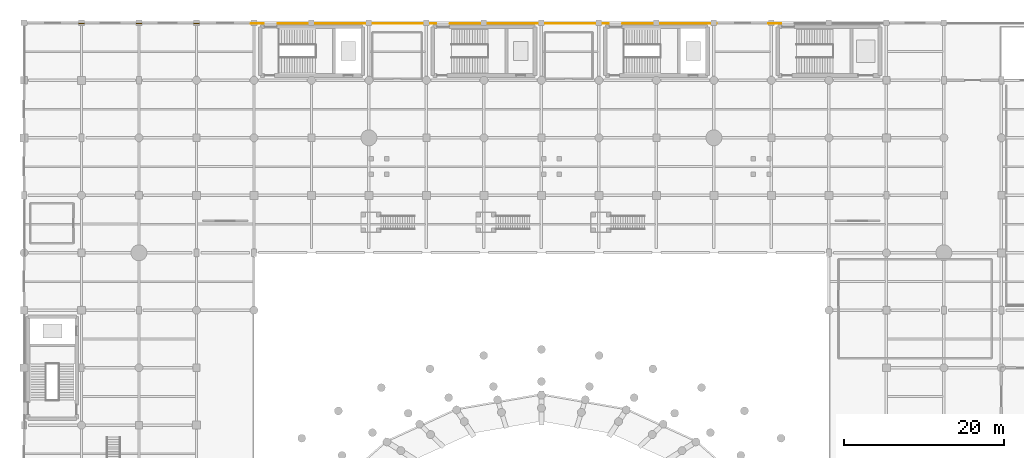
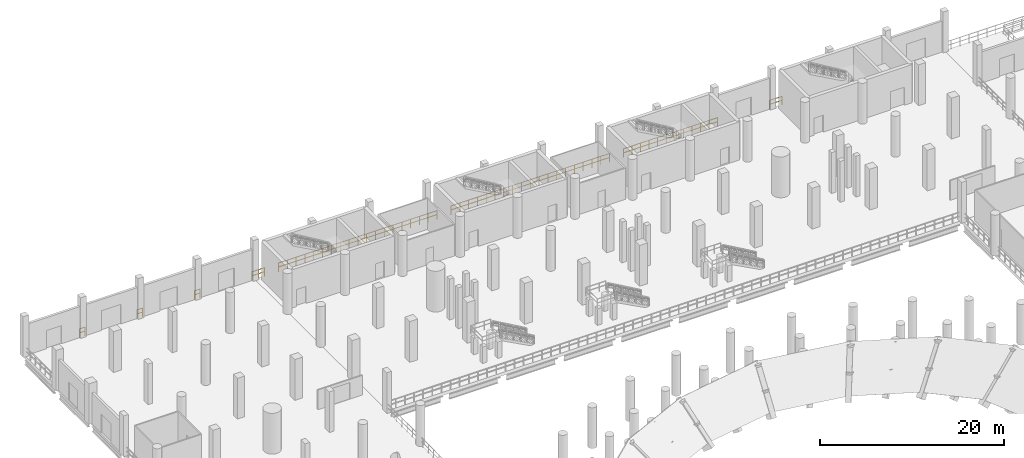
# One storey, part 56 of 58: 8 railings.
"""IFC4 building model written with IfcOpenShell, lengths in metres."""

from ifc_helpers import new_model, si_unit, direction, frame, origin, origin_2d, place, context, subcontext, project, spatial, circle, extrude, material, type_object, element, save


model = new_model("IFC4")

# Units and contexts
model_context = context("Model", 3, precision=1e-05, world=origin(), true_north=direction((0.0, 1.0)))
body_context = subcontext(model_context, "Body", "Model", "MODEL_VIEW")
ifc_project = project(units=[si_unit("LENGTHUNIT", "METRE"), si_unit("AREAUNIT", "SQUARE_METRE"), si_unit("VOLUMEUNIT", "CUBIC_METRE"), si_unit("PLANEANGLEUNIT", "RADIAN"), si_unit("MASSUNIT", "GRAM", prefix="KILO")], contexts=[model_context])

# Site, building, storey
site_placement = place(None, origin())
site = spatial("IfcSite", under=ifc_project, at=site_placement, CompositionType="ELEMENT")
building_placement = place(site_placement, origin())
building = spatial("IfcBuilding", under=site, at=building_placement, Name="Qandorah Velis Arena", CompositionType="ELEMENT")
storey_placement = place(building_placement, origin())
storey = spatial("IfcBuildingStorey", under=building, at=storey_placement, Name="L00", CompositionType="ELEMENT", Elevation=0.0)

# Railings
ifc_material = material(Name="Stainless steel 316", Category="steel")
railing_type = type_object("IfcRailingType", Name="ARC-RL-GRD1150", PredefinedType="GUARDRAIL", material=ifc_material)
for number, where, name in (
    (1, (6.85009765625, 129.5, 0.0), "Slab edge safety guardrail L00-040"),
    (2, (14.050048828125, 129.5, 0.0), "Slab edge safety guardrail L00-041"),
    (3, (21.25, 129.5, 0.0), "Slab edge safety guardrail L00-042"),
):
    element("IfcRailing", number, at=place(storey_placement, frame(where)), inside=storey, type_object=railing_type, Name=name, PredefinedType="GUARDRAIL", context=body_context, shape_type="SweptSolid", body=[
        extrude(circle(Radius=0.02392578125, at=origin_2d()), frame((0.0, 0.0, 1.1259765625), z_axis=(1.0, 0.0, 0.0), x_axis=(0.0, 1.0, 0.0)), (0.0, 0.0, 1.0), 0.699951171875),
        extrude(circle(Radius=0.02392578125, at=origin_2d()), frame((0.0, 0.0, 0.597900390625), z_axis=(1.0, 0.0, 0.0), x_axis=(0.0, 1.0, 0.0)), (0.0, 0.0, 1.0), 0.699951171875),
        extrude(circle(Radius=0.02099609375, at=origin_2d()), origin(), (0.0, 0.0, 1.0), 1.101806640625),
        extrude(circle(Radius=0.02099609375, at=origin_2d()), frame((0.699951171875, 0.0, 0.0)), (0.0, 0.0, 1.0), 1.101806640625),
    ])
railing_1_placement = place(storey_placement, frame((28.449951171875, 129.5, 0.0)))
element("IfcRailing", 4, at=railing_1_placement, inside=storey, type_object=railing_type, Name="Slab edge safety guardrail L00-043", PredefinedType="GUARDRAIL", context=body_context, shape_type="SweptSolid", body=[
    extrude(circle(Radius=0.02392578125, at=origin_2d()), frame((0.0, 0.0, 1.1259765625), z_axis=(1.0, 0.0, 0.0), x_axis=(0.0, 1.0, 0.0)), (0.0, 0.0, 1.0), 1.580078125),
    extrude(circle(Radius=0.02392578125, at=origin_2d()), frame((0.0, 0.0, 0.597900390625), z_axis=(1.0, 0.0, 0.0), x_axis=(0.0, 1.0, 0.0)), (0.0, 0.0, 1.0), 1.580078125),
    extrude(circle(Radius=0.02099609375, at=origin_2d()), origin(), (0.0, 0.0, 1.0), 1.101806640625),
    extrude(circle(Radius=0.02099609375, at=origin_2d()), frame((0.7900390625, 0.0, 0.0)), (0.0, 0.0, 1.0), 1.101806640625),
    extrude(circle(Radius=0.02099609375, at=origin_2d()), frame((1.580078125, 0.0, 0.0)), (0.0, 0.0, 1.0), 1.101806640625),
])
railing_2_placement = place(storey_placement, frame((31.77001953125, 129.5, 0.0)))
element("IfcRailing", 5, at=railing_2_placement, inside=storey, type_object=railing_type, Name="Slab edge safety guardrail L00-044", PredefinedType="GUARDRAIL", context=body_context, shape_type="SweptSolid", body=[
    extrude(circle(Radius=0.02392578125, at=origin_2d()), frame((0.0, 0.0, 1.1259765625), z_axis=(1.0, 0.0, 0.0), x_axis=(0.0, 1.0, 0.0)), (0.0, 0.0, 1.0), 19.85986328125),
    extrude(circle(Radius=0.02392578125, at=origin_2d()), frame((0.0, 0.0, 0.597900390625), z_axis=(1.0, 0.0, 0.0), x_axis=(0.0, 1.0, 0.0)), (0.0, 0.0, 1.0), 19.85986328125),
    extrude(circle(Radius=0.02099609375, at=origin_2d()), origin(), (0.0, 0.0, 1.0), 1.101806640625),
    extrude(circle(Radius=0.02099609375, at=origin_2d()), frame((1.103271484375, 0.0, 0.0)), (0.0, 0.0, 1.0), 1.101806640625),
    extrude(circle(Radius=0.02099609375, at=origin_2d()), frame((2.20654296875, 0.0, 0.0)), (0.0, 0.0, 1.0), 1.101806640625),
    extrude(circle(Radius=0.02099609375, at=origin_2d()), frame((3.31005859375, 0.0, 0.0)), (0.0, 0.0, 1.0), 1.101806640625),
    extrude(circle(Radius=0.02099609375, at=origin_2d()), frame((4.413330078125, 0.0, 0.0)), (0.0, 0.0, 1.0), 1.101806640625),
    extrude(circle(Radius=0.02099609375, at=origin_2d()), frame((5.5166015625, 0.0, 0.0)), (0.0, 0.0, 1.0), 1.101806640625),
    extrude(circle(Radius=0.02099609375, at=origin_2d()), frame((6.619873046875, 0.0, 0.0)), (0.0, 0.0, 1.0), 1.101806640625),
    extrude(circle(Radius=0.02099609375, at=origin_2d()), frame((7.723388671875, 0.0, 0.0)), (0.0, 0.0, 1.0), 1.101806640625),
    extrude(circle(Radius=0.02099609375, at=origin_2d()), frame((8.82666015625, 0.0, 0.0)), (0.0, 0.0, 1.0), 1.101806640625),
    extrude(circle(Radius=0.02099609375, at=origin_2d()), frame((9.929931640625, 0.0, 0.0)), (0.0, 0.0, 1.0), 1.101806640625),
    extrude(circle(Radius=0.02099609375, at=origin_2d()), frame((11.033203125, 0.0, 0.0)), (0.0, 0.0, 1.0), 1.101806640625),
    extrude(circle(Radius=0.02099609375, at=origin_2d()), frame((12.136474609375, 0.0, 0.0)), (0.0, 0.0, 1.0), 1.101806640625),
    extrude(circle(Radius=0.02099609375, at=origin_2d()), frame((13.239990234375, 0.0, 0.0)), (0.0, 0.0, 1.0), 1.101806640625),
    extrude(circle(Radius=0.02099609375, at=origin_2d()), frame((14.34326171875, 0.0, 0.0)), (0.0, 0.0, 1.0), 1.101806640625),
    extrude(circle(Radius=0.02099609375, at=origin_2d()), frame((15.446533203125, 0.0, 0.0)), (0.0, 0.0, 1.0), 1.101806640625),
    extrude(circle(Radius=0.02099609375, at=origin_2d()), frame((16.5498046875, 0.0, 0.0)), (0.0, 0.0, 1.0), 1.101806640625),
    extrude(circle(Radius=0.02099609375, at=origin_2d()), frame((17.6533203125, 0.0, 0.0)), (0.0, 0.0, 1.0), 1.101806640625),
    extrude(circle(Radius=0.02099609375, at=origin_2d()), frame((18.756591796875, 0.0, 0.0)), (0.0, 0.0, 1.0), 1.101806640625),
    extrude(circle(Radius=0.02099609375, at=origin_2d()), frame((19.85986328125, 0.0, 0.0)), (0.0, 0.0, 1.0), 1.101806640625),
])
railing_3_placement = place(storey_placement, frame((53.3701171875, 129.5, 0.0)))
element("IfcRailing", 6, at=railing_3_placement, inside=storey, type_object=railing_type, Name="Slab edge safety guardrail L00-045", PredefinedType="GUARDRAIL", context=body_context, shape_type="SweptSolid", body=[
    extrude(circle(Radius=0.02392578125, at=origin_2d()), frame((0.0, 0.0, 1.1259765625), z_axis=(1.0, 0.0, 0.0), x_axis=(0.0, 1.0, 0.0)), (0.0, 0.0, 1.0), 19.85986328125),
    extrude(circle(Radius=0.02392578125, at=origin_2d()), frame((0.0, 0.0, 0.597900390625), z_axis=(1.0, 0.0, 0.0), x_axis=(0.0, 1.0, 0.0)), (0.0, 0.0, 1.0), 19.85986328125),
    extrude(circle(Radius=0.02099609375, at=origin_2d()), origin(), (0.0, 0.0, 1.0), 1.101806640625),
    extrude(circle(Radius=0.02099609375, at=origin_2d()), frame((1.103271484375, 0.0, 0.0)), (0.0, 0.0, 1.0), 1.101806640625),
    extrude(circle(Radius=0.02099609375, at=origin_2d()), frame((2.20654296875, 0.0, 0.0)), (0.0, 0.0, 1.0), 1.101806640625),
    extrude(circle(Radius=0.02099609375, at=origin_2d()), frame((3.31005859375, 0.0, 0.0)), (0.0, 0.0, 1.0), 1.101806640625),
    extrude(circle(Radius=0.02099609375, at=origin_2d()), frame((4.413330078125, 0.0, 0.0)), (0.0, 0.0, 1.0), 1.101806640625),
    extrude(circle(Radius=0.02099609375, at=origin_2d()), frame((5.5166015625, 0.0, 0.0)), (0.0, 0.0, 1.0), 1.101806640625),
    extrude(circle(Radius=0.02099609375, at=origin_2d()), frame((6.619873046875, 0.0, 0.0)), (0.0, 0.0, 1.0), 1.101806640625),
    extrude(circle(Radius=0.02099609375, at=origin_2d()), frame((7.723388671875, 0.0, 0.0)), (0.0, 0.0, 1.0), 1.101806640625),
    extrude(circle(Radius=0.02099609375, at=origin_2d()), frame((8.82666015625, 0.0, 0.0)), (0.0, 0.0, 1.0), 1.101806640625),
    extrude(circle(Radius=0.02099609375, at=origin_2d()), frame((9.929931640625, 0.0, 0.0)), (0.0, 0.0, 1.0), 1.101806640625),
    extrude(circle(Radius=0.02099609375, at=origin_2d()), frame((11.033203125, 0.0, 0.0)), (0.0, 0.0, 1.0), 1.101806640625),
    extrude(circle(Radius=0.02099609375, at=origin_2d()), frame((12.136474609375, 0.0, 0.0)), (0.0, 0.0, 1.0), 1.101806640625),
    extrude(circle(Radius=0.02099609375, at=origin_2d()), frame((13.239990234375, 0.0, 0.0)), (0.0, 0.0, 1.0), 1.101806640625),
    extrude(circle(Radius=0.02099609375, at=origin_2d()), frame((14.34326171875, 0.0, 0.0)), (0.0, 0.0, 1.0), 1.101806640625),
    extrude(circle(Radius=0.02099609375, at=origin_2d()), frame((15.446533203125, 0.0, 0.0)), (0.0, 0.0, 1.0), 1.101806640625),
    extrude(circle(Radius=0.02099609375, at=origin_2d()), frame((16.5498046875, 0.0, 0.0)), (0.0, 0.0, 1.0), 1.101806640625),
    extrude(circle(Radius=0.02099609375, at=origin_2d()), frame((17.6533203125, 0.0, 0.0)), (0.0, 0.0, 1.0), 1.101806640625),
    extrude(circle(Radius=0.02099609375, at=origin_2d()), frame((18.756591796875, 0.0, 0.0)), (0.0, 0.0, 1.0), 1.101806640625),
    extrude(circle(Radius=0.02099609375, at=origin_2d()), frame((19.85986328125, 0.0, 0.0)), (0.0, 0.0, 1.0), 1.101806640625),
])
railing_4_placement = place(storey_placement, frame((74.969970703125, 129.5, 0.0)))
element("IfcRailing", 7, at=railing_4_placement, inside=storey, type_object=railing_type, Name="Slab edge safety guardrail L00-046", PredefinedType="GUARDRAIL", context=body_context, shape_type="SweptSolid", body=[
    extrude(circle(Radius=0.02392578125, at=origin_2d()), frame((0.0, 0.0, 1.1259765625), z_axis=(1.0, 0.0, 0.0), x_axis=(0.0, 1.0, 0.0)), (0.0, 0.0, 1.0), 11.780029296875),
    extrude(circle(Radius=0.02392578125, at=origin_2d()), frame((0.0, 0.0, 0.597900390625), z_axis=(1.0, 0.0, 0.0), x_axis=(0.0, 1.0, 0.0)), (0.0, 0.0, 1.0), 11.780029296875),
    extrude(circle(Radius=0.02099609375, at=origin_2d()), origin(), (0.0, 0.0, 1.0), 1.101806640625),
    extrude(circle(Radius=0.02099609375, at=origin_2d()), frame((1.07080078125, 0.0, 0.0)), (0.0, 0.0, 1.0), 1.101806640625),
    extrude(circle(Radius=0.02099609375, at=origin_2d()), frame((2.141845703125, 0.0, 0.0)), (0.0, 0.0, 1.0), 1.101806640625),
    extrude(circle(Radius=0.02099609375, at=origin_2d()), frame((3.212646484375, 0.0, 0.0)), (0.0, 0.0, 1.0), 1.101806640625),
    extrude(circle(Radius=0.02099609375, at=origin_2d()), frame((4.28369140625, 0.0, 0.0)), (0.0, 0.0, 1.0), 1.101806640625),
    extrude(circle(Radius=0.02099609375, at=origin_2d()), frame((5.3544921875, 0.0, 0.0)), (0.0, 0.0, 1.0), 1.101806640625),
    extrude(circle(Radius=0.02099609375, at=origin_2d()), frame((6.425537109375, 0.0, 0.0)), (0.0, 0.0, 1.0), 1.101806640625),
    extrude(circle(Radius=0.02099609375, at=origin_2d()), frame((7.496337890625, 0.0, 0.0)), (0.0, 0.0, 1.0), 1.101806640625),
    extrude(circle(Radius=0.02099609375, at=origin_2d()), frame((8.5673828125, 0.0, 0.0)), (0.0, 0.0, 1.0), 1.101806640625),
    extrude(circle(Radius=0.02099609375, at=origin_2d()), frame((9.63818359375, 0.0, 0.0)), (0.0, 0.0, 1.0), 1.101806640625),
    extrude(circle(Radius=0.02099609375, at=origin_2d()), frame((10.709228515625, 0.0, 0.0)), (0.0, 0.0, 1.0), 1.101806640625),
    extrude(circle(Radius=0.02099609375, at=origin_2d()), frame((11.780029296875, 0.0, 0.0)), (0.0, 0.0, 1.0), 1.101806640625),
])
railing_5_placement = place(storey_placement, frame((93.25, 129.5, 0.0)))
element("IfcRailing", 8, at=railing_5_placement, inside=storey, type_object=railing_type, Name="Slab edge safety guardrail L00-047", PredefinedType="GUARDRAIL", context=body_context, shape_type="SweptSolid", body=[
    extrude(circle(Radius=0.02392578125, at=origin_2d()), frame((0.0, 0.0, 1.1259765625), z_axis=(1.0, 0.0, 0.0), x_axis=(0.0, 1.0, 0.0)), (0.0, 0.0, 1.0), 1.580078125),
    extrude(circle(Radius=0.02392578125, at=origin_2d()), frame((0.0, 0.0, 0.597900390625), z_axis=(1.0, 0.0, 0.0), x_axis=(0.0, 1.0, 0.0)), (0.0, 0.0, 1.0), 1.580078125),
    extrude(circle(Radius=0.02099609375, at=origin_2d()), origin(), (0.0, 0.0, 1.0), 1.101806640625),
    extrude(circle(Radius=0.02099609375, at=origin_2d()), frame((0.7900390625, 0.0, 0.0)), (0.0, 0.0, 1.0), 1.101806640625),
    extrude(circle(Radius=0.02099609375, at=origin_2d()), frame((1.580078125, 0.0, 0.0)), (0.0, 0.0, 1.0), 1.101806640625),
])

save(model, "model.ifc")
